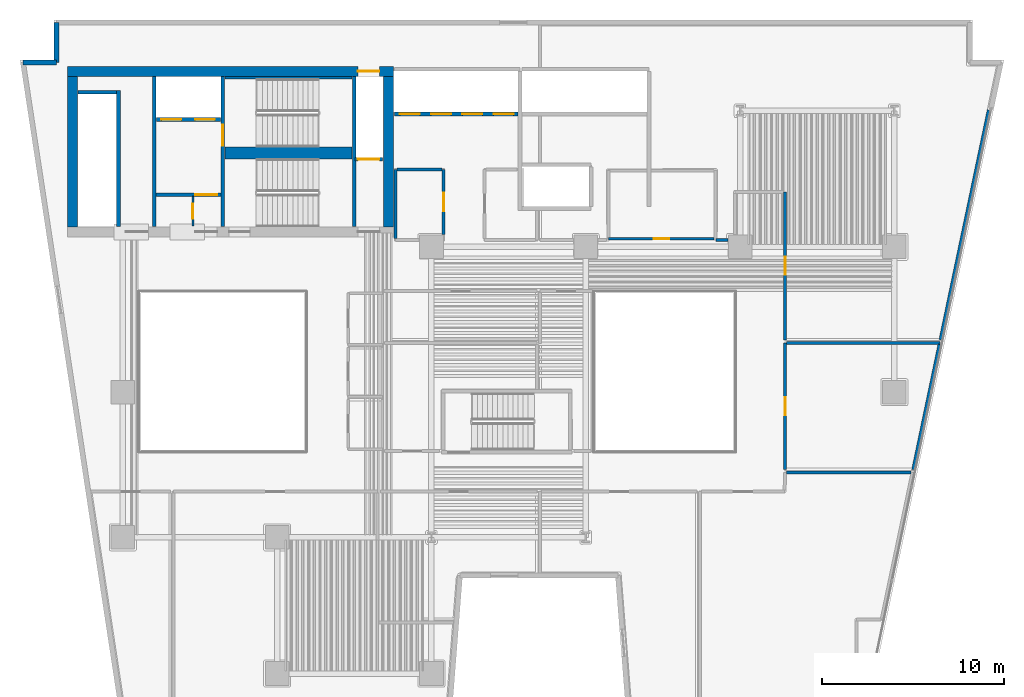
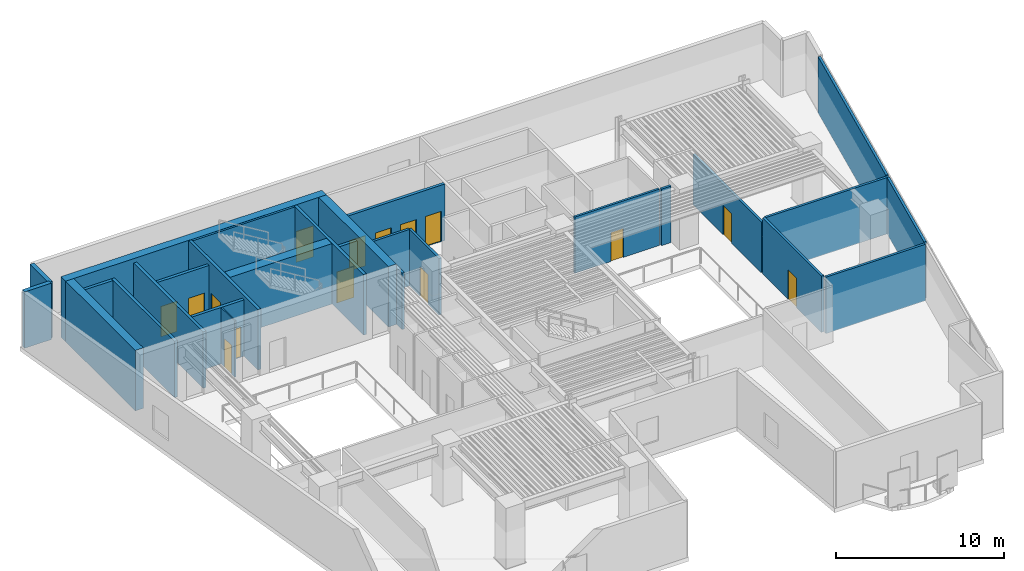
# One storey, part 5 of 11: 28 walls, 15 doors, 15 openings.
"""IFC4 building model written with IfcOpenShell, lengths in metres."""

import ifcopenshell
import ifcopenshell.guid

model = None  # the IFC model being written
_history = None  # IfcOwnerHistory: only IFC2X3 demands one
_inside = {}  # id of a spatial element -> (the spatial element, [elements in it])
_under = {}  # id of a project, library or spatial element -> (it, [spatial elements below it])
_declared = {}  # id of a project -> (the project, [libraries it declares])
_typed = {}  # id of a type object -> (the type object, [elements of that type])
_made_of = {}  # id of a material, layer set ... -> (it, [elements and type objects made of it])


def new_model(schema):
    """Start an empty IFC model of exactly this schema.

    Asked for "IFC4X3", IfcOpenShell would pick the latest addendum, in which some entities
    have other attributes; the version numbers below select the first issue.
    IFC2X3 requires an IfcOwnerHistory on every rooted entity: one is made here for all.
    """
    global model, _history
    if schema == "IFC4X3":
        model = ifcopenshell.file(schema_version=(4, 3, 0, 0))
    else:
        model = ifcopenshell.file(schema=schema)
    _inside.clear()
    _under.clear()
    _declared.clear()
    _typed.clear()
    _made_of.clear()
    _history = None
    if model.schema == "IFC2X3":
        org = make("IfcOrganization", Name="unknown")
        user = make(
            "IfcPersonAndOrganization",
            ThePerson=make("IfcPerson", FamilyName="unknown"),
            TheOrganization=org,
        )
        app = make(
            "IfcApplication",
            ApplicationDeveloper=org,
            Version="unknown",
            ApplicationFullName="unknown",
            ApplicationIdentifier="unknown",
        )
        _history = make(
            "IfcOwnerHistory",
            OwningUser=user,
            OwningApplication=app,
            ChangeAction="ADDED",
            CreationDate=0,
        )
    return model


def make(cls, **values):
    """One entity of the class cls with the attributes given. An attribute that is None is left unset."""
    return model.create_entity(
        cls, **{name: value for name, value in values.items() if value is not None}
    )


def rooted(cls, **values):
    """An entity with a GlobalId (a new one), such as an element, a storey or a relation."""
    return make(cls, GlobalId=ifcopenshell.guid.new(), OwnerHistory=_history, **values)


def si_unit(unit_type, name, prefix=None):
    """IfcSIUnit, for example si_unit("LENGTHUNIT", "METRE", prefix="MILLI")."""
    return make("IfcSIUnit", UnitType=unit_type, Prefix=prefix, Name=name)


def assignment(units):
    """IfcUnitAssignment: the units of a project."""
    return None if units is None else make("IfcUnitAssignment", Units=units)


def point(xyz):
    """IfcCartesianPoint."""
    return None if xyz is None else make("IfcCartesianPoint", Coordinates=xyz)


def direction(xyz):
    """IfcDirection."""
    return None if xyz is None else make("IfcDirection", DirectionRatios=xyz)


def frame(location, z_axis=None, x_axis=None):
    """IfcAxis2Placement3D, a coordinate frame: its origin and axes. An axis left out is left unset."""
    return make(
        "IfcAxis2Placement3D",
        Location=point(location),
        Axis=direction(z_axis),
        RefDirection=direction(x_axis),
    )


def frame_2d(location, x_axis=None):
    """IfcAxis2Placement2D, a coordinate frame in the plane: its origin and x axis."""
    return make(
        "IfcAxis2Placement2D", Location=point(location), RefDirection=direction(x_axis)
    )


def origin():
    """The frame at (0, 0, 0) with its axes left unset."""
    return frame((0.0, 0.0, 0.0))


def place(relative_to, where):
    """IfcLocalPlacement: puts the frame where relative to a parent placement (None: the world)."""
    return make(
        "IfcLocalPlacement", PlacementRelTo=relative_to, RelativePlacement=where
    )


def context(
    kind, dimensions, precision=None, world=None, true_north=None, identifier=None
):
    """IfcGeometricRepresentationContext, for example the 3D "Model" context."""
    return make(
        "IfcGeometricRepresentationContext",
        ContextIdentifier=identifier,
        ContextType=kind,
        CoordinateSpaceDimension=dimensions,
        Precision=precision,
        WorldCoordinateSystem=world,
        TrueNorth=true_north,
    )


def subcontext(parent, identifier, kind, view, scale=None):
    """IfcGeometricRepresentationSubContext, for example "Body" below "Model"."""
    return make(
        "IfcGeometricRepresentationSubContext",
        ContextIdentifier=identifier,
        ContextType=kind,
        ParentContext=parent,
        TargetScale=scale,
        TargetView=view,
    )


def project(units=None, contexts=None):
    """IfcProject with its units and contexts."""
    return rooted(
        "IfcProject",
        Name="project",
        RepresentationContexts=contexts,
        UnitsInContext=assignment(units),
    )


def spatial(cls, under=None, at=None, **own):
    """A site, building, storey or space (cls), placed at a placement, below another one or the project."""
    s = rooted(cls, ObjectPlacement=at, **own)
    if under is not None:
        _under.setdefault(under.id(), (under, []))[1].append(s)
    return s


def profile(cls, at=None, kind="AREA", **sizes):
    """A parametric profile (cls). Its sizes go by their IFC names, for example OverallWidth=200.0."""
    return make(cls, ProfileType=kind, Position=at, **sizes)


def rectangle(**sizes):
    """IfcRectangleProfileDef."""
    return profile("IfcRectangleProfileDef", **sizes)


def extrude(swept, where, along, depth):
    """IfcExtrudedAreaSolid: the profile swept, set in the frame where, extruded along a direction by depth."""
    return make(
        "IfcExtrudedAreaSolid",
        SweptArea=swept,
        Position=where,
        ExtrudedDirection=direction(along),
        Depth=depth,
    )


def shape(context_of_items, identifier, shape_type, items):
    """IfcShapeRepresentation: the items that make up one representation, for example the "Body"."""
    return make(
        "IfcShapeRepresentation",
        ContextOfItems=context_of_items,
        RepresentationIdentifier=identifier,
        RepresentationType=shape_type,
        Items=items,
    )


def material(Name=None, Category=None):
    """IfcMaterial."""
    return make("IfcMaterial", Name=Name, Category=Category)


def layer(
    of_material, thickness, ventilated=None, Name=None, Category=None, Priority=None
):
    """IfcMaterialLayer: one layer of a wall or slab, of a material (None: an air gap)."""
    return make(
        "IfcMaterialLayer",
        Material=of_material,
        LayerThickness=thickness,
        IsVentilated=ventilated,
        Name=Name,
        Category=Category,
        Priority=Priority,
    )


def layer_set(layers, Name=None):
    """IfcMaterialLayerSet."""
    return make("IfcMaterialLayerSet", MaterialLayers=layers, LayerSetName=Name)


def made_of(thing, what):
    """Note that an element or type object is made of a material, layer set ...; save() writes the relation."""
    if what is not None:
        _made_of.setdefault(what.id(), (what, []))[1].append(thing)
    return thing


def type_object(cls, material=None, **own):
    """A type object (cls), such as IfcWallType, which elements share."""
    return made_of(rooted(cls, **own), material)


def element(
    cls,
    number,
    at=None,
    inside=None,
    cuts=None,
    type_object=None,
    material=None,
    context=None,
    identifier="Body",
    shape_type=None,
    held_by="IfcProductDefinitionShape",
    body=None,
    shapes=None,
    **own,
):
    """One element of the class cls, such as IfcWall. Its Tag is "e" and its number.

    at: its placement. inside: the storey or other place that contains it. cuts: it is an
    opening in that element (IfcRelVoidsElement). A single representation is given by context,
    identifier, shape_type and body (its items); several are given by shapes. held_by: the class
    of the entity that holds the representations. save() writes the other relations.
    """
    e = rooted(cls, Tag="e%d" % number, ObjectPlacement=at, **own)
    if body is not None:
        shapes = [shape(context, identifier, shape_type, body)]
    if shapes is not None:
        e.Representation = make(held_by, Representations=shapes)
    if inside is not None:
        _inside.setdefault(inside.id(), (inside, []))[1].append(e)
    if cuts is not None:
        rooted(
            "IfcRelVoidsElement", RelatingBuildingElement=cuts, RelatedOpeningElement=e
        )
    if type_object is not None:
        _typed.setdefault(type_object.id(), (type_object, []))[1].append(e)
    return made_of(e, material)


def fill(opening, filler):
    """IfcRelFillsElement: the door or window that sits in an opening."""
    return rooted(
        "IfcRelFillsElement",
        RelatingOpeningElement=opening,
        RelatedBuildingElement=filler,
    )


def aggregate(whole, parts):
    """IfcRelAggregates: a whole, such as a stair, and the parts it consists of."""
    return rooted("IfcRelAggregates", RelatingObject=whole, RelatedObjects=parts)


def save(model, path):
    """Write the relations noted so far, then the file.

    IfcRelAggregates (storeys below a building ...), IfcRelContainedInSpatialStructure (elements
    in a storey), IfcRelDefinesByType, IfcRelAssociatesMaterial and IfcRelDeclares: one each for
    every whole, place, type object, material and project.
    """
    for whole, parts in _under.values():
        aggregate(whole, parts)
    for where, things in _inside.values():
        rooted(
            "IfcRelContainedInSpatialStructure",
            RelatedElements=things,
            RelatingStructure=where,
        )
    for kind, things in _typed.values():
        rooted("IfcRelDefinesByType", RelatedObjects=things, RelatingType=kind)
    for what, things in _made_of.values():
        rooted("IfcRelAssociatesMaterial", RelatedObjects=things, RelatingMaterial=what)
    for by, libraries in _declared.values():
        rooted("IfcRelDeclares", RelatingContext=by, RelatedDefinitions=libraries)
    model.write(path)


model = new_model("IFC4")

# Units and contexts
model_context = context("Model", 3, precision=1e-05, world=origin(), true_north=direction((0.0, 1.0)))
body_context = subcontext(model_context, "Body", "Model", "MODEL_VIEW")
ifc_project = project(units=[si_unit("LENGTHUNIT", "METRE"), si_unit("AREAUNIT", "SQUARE_METRE"), si_unit("VOLUMEUNIT", "CUBIC_METRE"), si_unit("PLANEANGLEUNIT", "RADIAN"), si_unit("MASSUNIT", "GRAM", prefix="KILO")], contexts=[model_context])

# Site, building, storey
site_placement = place(None, origin())
site = spatial("IfcSite", under=ifc_project, at=site_placement, CompositionType="ELEMENT")
building_placement = place(site_placement, origin())
building = spatial("IfcBuilding", under=site, at=building_placement, Name="Caeloran Harvest Quay", CompositionType="ELEMENT")
storey_placement = place(building_placement, frame((0.0, 0.0, 53.39990234375)))
storey = spatial("IfcBuildingStorey", under=building, at=storey_placement, Name="L12", CompositionType="ELEMENT", Elevation=53.39990234375)

# Walls
ifc_material_1 = material(Name="Precast concrete C50/60", Category="concrete")
ifc_layer_1 = layer(ifc_material_1, 0.280029296875, Name="Precast concrete C50/60")
ifc_layer_set_1 = layer_set([ifc_layer_1], Name="Precast concrete C50/60")
wall_type_1 = type_object("IfcWallType", Name="ENV-WALL-EW-280", PredefinedType="STANDARD", material=ifc_layer_set_1)
wall_1_placement = place(storey_placement, frame((2.99755859375, 41.159912109375, 0.0), z_axis=(0.0, 0.0, 1.0), x_axis=(1.0, 0.0, 0.0)))
element("IfcWall", 1, at=wall_1_placement, inside=storey, type_object=wall_type_1, Name="L12 Exterior Precast Concrete Facade Wall 4", PredefinedType="STANDARD", context=body_context, shape_type="SweptSolid", body=[
    extrude(rectangle(XDim=1.842529296875, YDim=0.280029296875, at=frame_2d((0.92138671875, 0.0))), origin(), (0.0, 0.0, 1.0), 4.10009765625),
])
wall_2_placement = place(storey_placement, frame((4.840087890625, 41.159912109375, 0.0), z_axis=(0.0, 0.0, 1.0), x_axis=(0.0, 1.0, 0.0)))
element("IfcWall", 2, at=wall_2_placement, inside=storey, type_object=wall_type_1, Name="L12 Exterior Precast Concrete Facade Wall 5", PredefinedType="STANDARD", context=body_context, shape_type="SweptSolid", body=[
    extrude(rectangle(XDim=2.2001953125, YDim=0.280029296875, at=frame_2d((1.10009765625, 0.0))), origin(), (0.0, 0.0, 1.0), 4.10009765625),
])

# Wall, opening, door
ifc_material_2 = material(Name="Fire-Resisting Gypsum Core Riser Partition", Category="gypsum")
ifc_layer_2 = layer(ifc_material_2, 0.10009765625, Name="Fire-Resisting Gypsum Core Riser Partition")
ifc_layer_set_2 = layer_set([ifc_layer_2], Name="Fire-Resisting Gypsum Core Riser Partition")
wall_type_2 = type_object("IfcWallType", Name="INT-WALL-PW-100", PredefinedType="PARTITIONING", material=ifc_layer_set_2)
wall_3_placement = place(storey_placement, frame((12.360107421875, 32.159912109375, 0.0), z_axis=(0.0, 0.0, 1.0), x_axis=(0.0, 1.0, 0.0)))
wall_3 = element("IfcWall", 3, at=wall_3_placement, inside=storey, type_object=wall_type_2, Name="L12 Core Store Partition Wall", PredefinedType="PARTITIONING", context=body_context, shape_type="SweptSolid", body=[
    extrude(rectangle(XDim=1.6201171875, YDim=0.10009765625, at=frame_2d((0.81005859375, 0.0))), origin(), (0.0, 0.0, 1.0), 4.10009765625),
])
opening_1_placement = place(wall_3_placement, frame((0.3798828125, 0.0, 0.0)))
opening_1 = element("IfcOpeningElement", 4, at=opening_1_placement, cuts=wall_3, Name="Opening SV-01", PredefinedType="OPENING", context=body_context, shape_type="SweptSolid", body=[
    extrude(rectangle(XDim=0.85009765625, YDim=2.10009765625, at=frame_2d((0.425048828125, 1.050048828125))), frame((0.0, 0.06005859375, 0.0), z_axis=(0.0, -1.0, 0.0), x_axis=(1.0, 0.0, 0.0)), (0.0, 0.0, 1.0), 0.1201171875),
])
ifc_material_3 = material(Name="Galvanized Painted Steel", Category="steel")
door_type_1 = type_object("IfcDoorType", Name="INTDOOR-SV-01", OperationType="NOTDEFINED", PredefinedType="DOOR", material=ifc_material_3)
door_1_placement = place(opening_1_placement, origin())
door_1 = element("IfcDoor", 5, at=door_1_placement, inside=storey, type_object=door_type_1, Name="L12 Core Service Room Access Door", OperationType="SINGLE_SWING_RIGHT", OverallHeight=2.10009765625, OverallWidth=0.85009765625, PredefinedType="DOOR", context=body_context, shape_type="SweptSolid", body=[
    extrude(rectangle(XDim=0.85009765625, YDim=2.10009765625, at=frame_2d((0.425048828125, 1.050048828125))), frame((0.0, 0.02490234375, 0.0), z_axis=(0.0, -1.0, 0.0), x_axis=(1.0, 0.0, 0.0)), (0.0, 0.0, 1.0), 0.050048828125),
])
fill(opening_1, door_1)

ifc_material_4 = material(Name="Autoclaved Aerated Concrete Blockwork and Plasterboard", Category="masonry")
ifc_layer_3 = layer(ifc_material_4, 0.14990234375, Name="Autoclaved Aerated Concrete Blockwork and Plasterboard")
ifc_layer_set_3 = layer_set([ifc_layer_3], Name="Autoclaved Aerated Concrete Blockwork and Plasterboard")
wall_type_3 = type_object("IfcWallType", Name="INT-WALL-PW-150", PredefinedType="PARTITIONING", material=ifc_layer_set_3)
wall_4_placement = place(storey_placement, frame((41.070068359375, 31.449951171875, 0.0), z_axis=(0.0, 0.0, 1.0), x_axis=(-1.0, 0.0, 0.0)))
wall_4 = element("IfcWall", 6, at=wall_4_placement, inside=storey, type_object=wall_type_3, Name="L12 Core Telemetry Control Room Partition Wall", PredefinedType="PARTITIONING", context=body_context, shape_type="SweptSolid", body=[
    extrude(rectangle(XDim=5.820068359375, YDim=0.14990234375, at=frame_2d((2.91015625, 0.0))), origin(), (0.0, 0.0, 1.0), 4.10009765625),
])
opening_2_placement = place(wall_4_placement, frame((2.485107421875, 0.0, 0.0)))
opening_2 = element("IfcOpeningElement", 7, at=opening_2_placement, cuts=wall_4, Name="Opening SV-01", PredefinedType="OPENING", context=body_context, shape_type="SweptSolid", body=[
    extrude(rectangle(XDim=0.85009765625, YDim=2.10009765625, at=frame_2d((0.425048828125, 1.050048828125))), frame((0.0, 0.0849609375, 0.0), z_axis=(0.0, -1.0, 0.0), x_axis=(1.0, 0.0, 0.0)), (0.0, 0.0, 1.0), 0.169921875),
])
door_2_placement = place(opening_2_placement, origin())
door_2 = element("IfcDoor", 8, at=door_2_placement, inside=storey, type_object=door_type_1, Name="L12 Core Telemetry Control Room Access Door", OperationType="SINGLE_SWING_RIGHT", OverallHeight=2.10009765625, OverallWidth=0.85009765625, PredefinedType="DOOR", context=body_context, shape_type="SweptSolid", body=[
    extrude(rectangle(XDim=0.85009765625, YDim=2.10009765625, at=frame_2d((0.425048828125, 1.050048828125))), frame((0.0, 0.02490234375, 0.0), z_axis=(0.0, -1.0, 0.0), x_axis=(1.0, 0.0, 0.0)), (0.0, 0.0, 1.0), 0.050048828125),
])
fill(opening_2, door_2)

# Wall
ifc_material_5 = material(Name="Autoclaved Aerated Concrete Blockwork", Category="masonry")
ifc_layer_4 = layer(ifc_material_5, 0.1650390625, Name="Autoclaved Aerated Concrete Blockwork")
ifc_layer_set_4 = layer_set([ifc_layer_4], Name="Autoclaved Aerated Concrete Blockwork")
wall_type_4 = type_object("IfcWallType", Name="INT-WALL-PW-165", PredefinedType="PARTITIONING", material=ifc_layer_set_4)
wall_5_placement = place(storey_placement, frame((45.06689453125, 18.570068359375, 0.0), z_axis=(0.0, 0.0, 1.0), x_axis=(1.0, 0.0, 0.0)))
element("IfcWall", 9, at=wall_5_placement, inside=storey, type_object=wall_type_4, Name="Hydroponic Culinary Kitchen Partition Wall", PredefinedType="PARTITIONING", context=body_context, shape_type="SweptSolid", body=[
    extrude(rectangle(XDim=6.8408203125, YDim=0.1650390625, at=frame_2d((3.42041015625, 0.0))), origin(), (0.0, 0.0, 1.0), 4.10009765625),
])

# Wall, opening, door
wall_6_placement = place(storey_placement, frame((44.97998046875, 18.72998046875, 0.0), z_axis=(0.0, 0.0, 1.0), x_axis=(0.0, 1.0, 0.0)))
wall_6 = element("IfcWall", 10, at=wall_6_placement, inside=storey, type_object=wall_type_4, Name="Mycology QA Laboratory Partition Wall", PredefinedType="PARTITIONING", context=body_context, shape_type="SweptSolid", body=[
    extrude(rectangle(XDim=6.989990234375, YDim=0.1650390625, at=frame_2d((3.4951171875, 0.0))), origin(), (0.0, 0.0, 1.0), 4.10009765625),
])
opening_3_placement = place(wall_6_placement, frame((2.9951171875, 0.0, 0.0)))
opening_3 = element("IfcOpeningElement", 11, at=opening_3_placement, cuts=wall_6, Name="Opening ID-01", PredefinedType="OPENING", context=body_context, shape_type="SweptSolid", body=[
    extrude(rectangle(XDim=1.0, YDim=2.14990234375, at=frame_2d((0.5, 1.074951171875))), frame((0.0, 0.092529296875, 0.0), z_axis=(0.0, -1.0, 0.0), x_axis=(1.0, 0.0, 0.0)), (0.0, 0.0, 1.0), 0.18505859375),
])
ifc_material_6 = material(Name="FSC Solid-Core Ash Timber and Acoustic Seal", Category="wood")
door_type_2 = type_object("IfcDoorType", Name="INTDOOR-ID-01", OperationType="NOTDEFINED", PredefinedType="DOOR", material=ifc_material_6)
door_3_placement = place(opening_3_placement, origin())
door_3 = element("IfcDoor", 12, at=door_3_placement, inside=storey, type_object=door_type_2, Name="Mycology QA Laboratory Access Door", OperationType="SINGLE_SWING_LEFT", OverallHeight=2.14990234375, OverallWidth=1.0, PredefinedType="DOOR", context=body_context, shape_type="SweptSolid", body=[
    extrude(rectangle(XDim=1.0, YDim=2.14990234375, at=frame_2d((0.5, 1.074951171875))), frame((0.0, 0.02490234375, 0.0), z_axis=(0.0, -1.0, 0.0), x_axis=(1.0, 0.0, 0.0)), (0.0, 0.0, 1.0), 0.050048828125),
])
fill(opening_3, door_3)

# Walls
wall_7_placement = place(storey_placement, frame((45.0673828125, 25.719970703125, 0.0), z_axis=(0.0, 0.0, 1.0), x_axis=(1.0, 0.0, 0.0)))
element("IfcWall", 13, at=wall_7_placement, inside=storey, type_object=wall_type_4, Name="Mycology QA Laboratory Partition Wall", PredefinedType="PARTITIONING", context=body_context, shape_type="SweptSolid", body=[
    extrude(rectangle(XDim=8.447021484375, YDim=0.1650390625, at=frame_2d((4.2236328125, 0.0))), origin(), (0.0, 0.0, 1.0), 4.10009765625),
])
wall_8_placement = place(storey_placement, frame((53.480712890625, 25.632568359375, 0.0), z_axis=(0.0, 0.0, 1.0), x_axis=(-0.205539446235, -0.97864883183, 0.0)))
element("IfcWall", 14, at=wall_8_placement, inside=storey, type_object=wall_type_4, Name="Mycology QA Laboratory Partition Wall", PredefinedType="PARTITIONING", context=body_context, shape_type="SweptSolid", body=[
    extrude(rectangle(XDim=7.05322265625, YDim=0.1650390625, at=frame_2d((3.526611328125, 0.0))), origin(), (0.0, 0.0, 1.0), 4.10009765625),
])

# Wall, opening, door
wall_9_placement = place(storey_placement, frame((26.169921875, 35.27001953125, 0.0), z_axis=(0.0, 0.0, 1.0), x_axis=(0.0, -1.0, 0.0)))
wall_9 = element("IfcWall", 15, at=wall_9_placement, inside=storey, type_object=wall_type_4, Name="Pollination Dining Lounge 11 Partition Wall", PredefinedType="PARTITIONING", context=body_context, shape_type="SweptSolid", body=[
    extrude(rectangle(XDim=3.594970703125, YDim=0.1650390625, at=frame_2d((1.79736328125, 0.0))), origin(), (0.0, 0.0, 1.0), 4.10009765625),
])
opening_4_placement = place(wall_9_placement, frame((1.297607421875, 0.0, 0.0)))
opening_4 = element("IfcOpeningElement", 16, at=opening_4_placement, cuts=wall_9, Name="Opening ID-01", PredefinedType="OPENING", context=body_context, shape_type="SweptSolid", body=[
    extrude(rectangle(XDim=1.0, YDim=2.14990234375, at=frame_2d((0.5, 1.074951171875))), frame((0.0, 0.092529296875, 0.0), z_axis=(0.0, -1.0, 0.0), x_axis=(1.0, 0.0, 0.0)), (0.0, 0.0, 1.0), 0.18505859375),
])
door_4_placement = place(opening_4_placement, origin())
door_4 = element("IfcDoor", 17, at=door_4_placement, inside=storey, type_object=door_type_2, Name="Pollination Dining Lounge 11 Access Door", OperationType="SINGLE_SWING_LEFT", OverallHeight=2.14990234375, OverallWidth=1.0, PredefinedType="DOOR", context=body_context, shape_type="SweptSolid", body=[
    extrude(rectangle(XDim=1.0, YDim=2.14990234375, at=frame_2d((0.5, 1.074951171875))), frame((0.0, 0.02490234375, 0.0), z_axis=(0.0, -1.0, 0.0), x_axis=(1.0, 0.0, 0.0)), (0.0, 0.0, 1.0), 0.050048828125),
])
fill(opening_4, door_4)

# Walls
wall_10_placement = place(storey_placement, frame((23.510009765625, 31.467529296875, 0.0), z_axis=(0.0, 0.0, 1.0), x_axis=(0.0, 1.0, 0.0)))
element("IfcWall", 18, at=wall_10_placement, inside=storey, type_object=wall_type_4, Name="Pollination Dining Lounge 11 Partition Wall", PredefinedType="PARTITIONING", context=body_context, shape_type="SweptSolid", body=[
    extrude(rectangle(XDim=3.804443359375, YDim=0.1650390625, at=frame_2d((1.90234375, 0.0))), origin(), (0.0, 0.0, 1.0), 4.10009765625),
])
wall_11_placement = place(storey_placement, frame((23.597412109375, 35.27001953125, 0.0), z_axis=(0.0, 0.0, 1.0), x_axis=(1.0, 0.0, 0.0)))
element("IfcWall", 19, at=wall_11_placement, inside=storey, type_object=wall_type_4, Name="Pollination Dining Lounge 11 Partition Wall", PredefinedType="PARTITIONING", context=body_context, shape_type="SweptSolid", body=[
    extrude(rectangle(XDim=2.485107421875, YDim=0.1650390625, at=frame_2d((1.24267578125, 0.0))), origin(), (0.0, 0.0, 1.0), 4.10009765625),
])
wall_12_placement = place(storey_placement, frame((56.1943359375, 38.547607421875, 0.0), z_axis=(0.0, 0.0, 1.0), x_axis=(-0.205602677483, -0.978635549636, 0.0)))
element("IfcWall", 20, at=wall_12_placement, inside=storey, type_object=wall_type_4, Name="Harvest Seminar Room 12 Partition Wall", PredefinedType="PARTITIONING", context=body_context, shape_type="SweptSolid", body=[
    extrude(rectangle(XDim=12.9443359375, YDim=0.1650390625, at=frame_2d((6.47216796875, 0.0))), origin(), (0.0, 0.0, 1.0), 4.10009765625),
])

# Wall, opening, door
wall_13_placement = place(storey_placement, frame((44.97998046875, 25.8798828125, 0.0), z_axis=(0.0, 0.0, 1.0), x_axis=(0.0, 1.0, 0.0)))
wall_13 = element("IfcWall", 21, at=wall_13_placement, inside=storey, type_object=wall_type_4, Name="Harvest Seminar Room 12 Partition Wall", PredefinedType="PARTITIONING", context=body_context, shape_type="SweptSolid", body=[
    extrude(rectangle(XDim=8.150146484375, YDim=0.1650390625, at=frame_2d((4.0751953125, 0.0))), origin(), (0.0, 0.0, 1.0), 3.68505859375),
])
opening_5_placement = place(wall_13_placement, frame((3.574951171875, 0.0, 0.0)))
opening_5 = element("IfcOpeningElement", 22, at=opening_5_placement, cuts=wall_13, Name="Opening ID-01", PredefinedType="OPENING", context=body_context, shape_type="SweptSolid", body=[
    extrude(rectangle(XDim=1.0, YDim=2.14990234375, at=frame_2d((0.5, 1.074951171875))), frame((0.0, 0.092529296875, 0.0), z_axis=(0.0, -1.0, 0.0), x_axis=(1.0, 0.0, 0.0)), (0.0, 0.0, 1.0), 0.18505859375),
])
door_5_placement = place(opening_5_placement, origin())
door_5 = element("IfcDoor", 23, at=door_5_placement, inside=storey, type_object=door_type_2, Name="Harvest Seminar Room 12 Access Door", OperationType="SINGLE_SWING_RIGHT", OverallHeight=2.14990234375, OverallWidth=1.0, PredefinedType="DOOR", context=body_context, shape_type="SweptSolid", body=[
    extrude(rectangle(XDim=1.0, YDim=2.14990234375, at=frame_2d((0.5, 1.074951171875))), frame((0.0, 0.02490234375, 0.0), z_axis=(0.0, -1.0, 0.0), x_axis=(1.0, 0.0, 0.0)), (0.0, 0.0, 1.0), 0.050048828125),
])
fill(opening_5, door_5)

# Walls
wall_14_placement = place(storey_placement, frame((41.824951171875, 31.3798828125, 0.0), z_axis=(0.0, 0.0, 1.0), x_axis=(-1.0, 0.0, 0.0)))
element("IfcWall", 24, at=wall_14_placement, inside=storey, type_object=wall_type_4, Name="Harvest Seminar Room 12 Partition Wall", PredefinedType="PARTITIONING", context=body_context, shape_type="SweptSolid", body=[
    extrude(rectangle(XDim=0.660400390625, YDim=0.1650390625, at=frame_2d((0.330078125, 0.0))), origin(), (0.0, 0.0, 1.0), 4.10009765625),
])
ifc_material_7 = material(Name="Concrete C50/60", Category="concrete")
ifc_layer_5 = layer(ifc_material_7, 0.199951171875, Name="Concrete C50/60")
ifc_layer_set_5 = layer_set([ifc_layer_5], Name="Concrete C50/60")
wall_type_5 = type_object("IfcWallType", Name="INT-WALL-SW-200", PredefinedType="PARTITIONING", material=ifc_layer_set_5)
wall_15_placement = place(storey_placement, frame((8.260009765625, 32.1201171875, 0.0), z_axis=(0.0, 0.0, 1.0), x_axis=(0.0, 1.0, 0.0)))
element("IfcWall", 25, at=wall_15_placement, inside=storey, type_object=wall_type_5, Name="L12 Bank 3 Lift Shaft Wall", PredefinedType="PARTITIONING", context=body_context, shape_type="SweptSolid", body=[
    extrude(rectangle(XDim=7.5, YDim=0.199951171875, at=frame_2d((3.75, 0.0))), origin(), (0.0, 0.0, 1.0), 4.10009765625),
])
wall_16_placement = place(storey_placement, frame((6.02001953125, 39.52001953125, 0.0), z_axis=(0.0, 0.0, 1.0), x_axis=(1.0, 0.0, 0.0)))
element("IfcWall", 26, at=wall_16_placement, inside=storey, type_object=wall_type_5, Name="L12 Bank 3 Lift Shaft North End Wall", PredefinedType="PARTITIONING", context=body_context, shape_type="SweptSolid", body=[
    extrude(rectangle(XDim=2.119873046875, YDim=0.199951171875, at=frame_2d((1.06005859375, 0.0))), origin(), (0.0, 0.0, 1.0), 4.10009765625),
])
wall_17_placement = place(storey_placement, frame((10.219970703125, 32.1201171875, 0.0), z_axis=(0.0, 0.0, 1.0), x_axis=(0.0, 1.0, 0.0)))
element("IfcWall", 27, at=wall_17_placement, inside=storey, type_object=wall_type_5, Name="L12 Core Lobby Compartment Wall", PredefinedType="PARTITIONING", context=body_context, shape_type="SweptSolid", body=[
    extrude(rectangle(XDim=8.259765625, YDim=0.199951171875, at=frame_2d((4.1298828125, 0.0))), origin(), (0.0, 0.0, 1.0), 4.10009765625),
])

# Wall, openings, doors
wall_18_placement = place(storey_placement, frame((10.340087890625, 38.02001953125, 0.0), z_axis=(0.0, 0.0, 1.0), x_axis=(1.0, 0.0, 0.0)))
wall_18 = element("IfcWall", 28, at=wall_18_placement, inside=storey, type_object=wall_type_5, Name="L12 Firefighting Lift Shaft Wall", PredefinedType="PARTITIONING", context=body_context, shape_type="SweptSolid", body=[
    extrude(rectangle(XDim=3.539794921875, YDim=0.199951171875, at=frame_2d((1.77001953125, 0.0))), origin(), (0.0, 0.0, 1.0), 4.10009765625),
])
opening_6_placement = place(wall_18_placement, frame((0.284912109375, 0.0, 0.0)))
opening_6 = element("IfcOpeningElement", 29, at=opening_6_placement, cuts=wall_18, Name="Opening LD-01", PredefinedType="OPENING", context=body_context, shape_type="SweptSolid", body=[
    extrude(rectangle(XDim=1.10009765625, YDim=2.199951171875, at=frame_2d((0.550048828125, 1.10009765625))), frame((0.0, 0.10986328125, 0.0), z_axis=(0.0, -1.0, 0.0), x_axis=(1.0, 0.0, 0.0)), (0.0, 0.0, 1.0), 0.219970703125),
])
opening_7_placement = place(wall_18_placement, frame((2.135009765625, 0.0, 0.0)))
opening_7 = element("IfcOpeningElement", 30, at=opening_7_placement, cuts=wall_18, Name="Opening LD-01", PredefinedType="OPENING", context=body_context, shape_type="SweptSolid", body=[
    extrude(rectangle(XDim=1.10009765625, YDim=2.199951171875, at=frame_2d((0.550048828125, 1.10009765625))), frame((0.0, 0.10986328125, 0.0), z_axis=(0.0, -1.0, 0.0), x_axis=(1.0, 0.0, 0.0)), (0.0, 0.0, 1.0), 0.219970703125),
])
ifc_material_8 = material(Name="Stainless Steel Grade 316", Category="steel")
door_type_3 = type_object("IfcDoorType", Name="INTDOOR-LD-01", OperationType="NOTDEFINED", PredefinedType="DOOR", material=ifc_material_8)
door_6_placement = place(opening_6_placement, origin())
door_6 = element("IfcDoor", 31, at=door_6_placement, inside=storey, type_object=door_type_3, Name="Lift FF-1 Sliding Landing Door (L12)", OperationType="DOUBLE_DOOR_SLIDING", OverallHeight=2.199951171875, OverallWidth=1.10009765625, PredefinedType="DOOR", context=body_context, shape_type="SweptSolid", body=[
    extrude(rectangle(XDim=1.10009765625, YDim=2.199951171875, at=frame_2d((0.550048828125, 1.10009765625))), frame((0.0, 0.02490234375, 0.0), z_axis=(0.0, -1.0, 0.0), x_axis=(1.0, 0.0, 0.0)), (0.0, 0.0, 1.0), 0.050048828125),
])
fill(opening_6, door_6)
door_7_placement = place(opening_7_placement, origin())
door_7 = element("IfcDoor", 32, at=door_7_placement, inside=storey, type_object=door_type_3, Name="Lift FF-2 Sliding Landing Door (L12)", OperationType="DOUBLE_DOOR_SLIDING", OverallHeight=2.199951171875, OverallWidth=1.10009765625, PredefinedType="DOOR", context=body_context, shape_type="SweptSolid", body=[
    extrude(rectangle(XDim=1.10009765625, YDim=2.199951171875, at=frame_2d((0.550048828125, 1.10009765625))), frame((0.0, 0.02490234375, 0.0), z_axis=(0.0, -1.0, 0.0), x_axis=(1.0, 0.0, 0.0)), (0.0, 0.0, 1.0), 0.050048828125),
])
fill(opening_7, door_7)

# Wall, opening, door
wall_19_placement = place(storey_placement, frame((10.340087890625, 33.8798828125, 0.0), z_axis=(0.0, 0.0, 1.0), x_axis=(1.0, 0.0, 0.0)))
wall_19 = element("IfcWall", 33, at=wall_19_placement, inside=storey, type_object=wall_type_5, Name="L12 Firefighting Lift Lobby Enclosure Wall", PredefinedType="PARTITIONING", context=body_context, shape_type="SweptSolid", body=[
    extrude(rectangle(XDim=3.559814453125, YDim=0.199951171875, at=frame_2d((1.77978515625, 0.0))), origin(), (0.0, 0.0, 1.0), 4.10009765625),
])
opening_8_placement = place(wall_19_placement, frame((2.14990234375, 0.0, 0.0)))
opening_8 = element("IfcOpeningElement", 34, at=opening_8_placement, cuts=wall_19, Name="Opening FD-01", PredefinedType="OPENING", context=body_context, shape_type="SweptSolid", body=[
    extrude(rectangle(XDim=1.199951171875, YDim=2.199951171875, at=frame_2d((0.60009765625, 1.10009765625))), frame((0.0, 0.10986328125, 0.0), z_axis=(0.0, -1.0, 0.0), x_axis=(1.0, 0.0, 0.0)), (0.0, 0.0, 1.0), 0.219970703125),
])
ifc_material_9 = material(Name="Steel", Category="steel")
door_type_4 = type_object("IfcDoorType", Name="INTDOOR-FD-01", OperationType="NOTDEFINED", PredefinedType="DOOR", material=ifc_material_9)
door_8_placement = place(opening_8_placement, origin())
door_8 = element("IfcDoor", 35, at=door_8_placement, inside=storey, type_object=door_type_4, Name="L12 Firefighting Lift Lobby Smoke-Seal Fire Door", OperationType="SINGLE_SWING_RIGHT", OverallHeight=2.199951171875, OverallWidth=1.199951171875, PredefinedType="DOOR", context=body_context, shape_type="SweptSolid", body=[
    extrude(rectangle(XDim=1.199951171875, YDim=2.199951171875, at=frame_2d((0.60009765625, 1.10009765625))), frame((0.0, 0.02490234375, 0.0), z_axis=(0.0, -1.0, 0.0), x_axis=(1.0, 0.0, 0.0)), (0.0, 0.0, 1.0), 0.050048828125),
])
fill(opening_8, door_8)

wall_20_placement = place(storey_placement, frame((21.300048828125, 35.820068359375, 0.0), z_axis=(0.0, 0.0, 1.0), x_axis=(1.0, 0.0, 0.0)))
wall_20 = element("IfcWall", 36, at=wall_20_placement, inside=storey, type_object=wall_type_5, Name="L12 Service Lift SV-2 Shaft Wall", PredefinedType="PARTITIONING", context=body_context, shape_type="SweptSolid", body=[
    extrude(rectangle(XDim=1.5, YDim=0.199951171875, at=frame_2d((0.75, 0.0))), origin(), (0.0, 0.0, 1.0), 4.10009765625),
])
opening_9_placement = place(wall_20_placement, frame((0.14501953125, 0.0, 0.0)))
opening_9 = element("IfcOpeningElement", 37, at=opening_9_placement, cuts=wall_20, Name="Opening LD-02", PredefinedType="OPENING", context=body_context, shape_type="SweptSolid", body=[
    extrude(rectangle(XDim=1.179931640625, YDim=2.25, at=frame_2d((0.58984375, 1.125))), frame((0.0, 0.10986328125, 0.0), z_axis=(0.0, -1.0, 0.0), x_axis=(1.0, 0.0, 0.0)), (0.0, 0.0, 1.0), 0.219970703125),
])
door_type_5 = type_object("IfcDoorType", Name="INTDOOR-LD-02", OperationType="NOTDEFINED", PredefinedType="DOOR", material=ifc_material_8)
door_9_placement = place(opening_9_placement, origin())
door_9 = element("IfcDoor", 38, at=door_9_placement, inside=storey, type_object=door_type_5, Name="Lift SV-2 Sliding Landing Door (L12)", OperationType="DOUBLE_DOOR_SLIDING", OverallHeight=2.25, OverallWidth=1.179931640625, PredefinedType="DOOR", context=body_context, shape_type="SweptSolid", body=[
    extrude(rectangle(XDim=1.179931640625, YDim=2.25, at=frame_2d((0.58984375, 1.125))), frame((0.0, 0.02490234375, 0.0), z_axis=(0.0, -1.0, 0.0), x_axis=(1.0, 0.0, 0.0)), (0.0, 0.0, 1.0), 0.050048828125),
])
fill(opening_9, door_9)

# Wall, openings, doors
wall_21_placement = place(storey_placement, frame((23.469970703125, 38.320068359375, 0.0), z_axis=(0.0, 0.0, 1.0), x_axis=(1.0, 0.0, 0.0)))
wall_21 = element("IfcWall", 39, at=wall_21_placement, inside=storey, type_object=wall_type_5, Name="L12 Bank 1 Lift Landing Front Wall", PredefinedType="PARTITIONING", context=body_context, shape_type="SweptSolid", body=[
    extrude(rectangle(XDim=6.7900390625, YDim=0.199951171875, at=frame_2d((3.39501953125, 0.0))), origin(), (0.0, 0.0, 1.0), 4.10009765625),
])
opening_10_placement = place(wall_21_placement, frame((0.2900390625, 0.0, 0.0)))
opening_10 = element("IfcOpeningElement", 40, at=opening_10_placement, cuts=wall_21, Name="Opening LD-01", PredefinedType="OPENING", context=body_context, shape_type="SweptSolid", body=[
    extrude(rectangle(XDim=1.10009765625, YDim=2.199951171875, at=frame_2d((0.550048828125, 1.10009765625))), frame((0.0, 0.10986328125, 0.0), z_axis=(0.0, -1.0, 0.0), x_axis=(1.0, 0.0, 0.0)), (0.0, 0.0, 1.0), 0.219970703125),
])
opening_11_placement = place(wall_21_placement, frame((2.010009765625, 0.0, 0.0)))
opening_11 = element("IfcOpeningElement", 41, at=opening_11_placement, cuts=wall_21, Name="Opening LD-01", PredefinedType="OPENING", context=body_context, shape_type="SweptSolid", body=[
    extrude(rectangle(XDim=1.10009765625, YDim=2.199951171875, at=frame_2d((0.550048828125, 1.10009765625))), frame((0.0, 0.10986328125, 0.0), z_axis=(0.0, -1.0, 0.0), x_axis=(1.0, 0.0, 0.0)), (0.0, 0.0, 1.0), 0.219970703125),
])
opening_12_placement = place(wall_21_placement, frame((3.72998046875, 0.0, 0.0)))
opening_12 = element("IfcOpeningElement", 42, at=opening_12_placement, cuts=wall_21, Name="Opening LD-01", PredefinedType="OPENING", context=body_context, shape_type="SweptSolid", body=[
    extrude(rectangle(XDim=1.10009765625, YDim=2.199951171875, at=frame_2d((0.550048828125, 1.10009765625))), frame((0.0, 0.10986328125, 0.0), z_axis=(0.0, -1.0, 0.0), x_axis=(1.0, 0.0, 0.0)), (0.0, 0.0, 1.0), 0.219970703125),
])
opening_13_placement = place(wall_21_placement, frame((5.449951171875, 0.0, 0.0)))
opening_13 = element("IfcOpeningElement", 43, at=opening_13_placement, cuts=wall_21, Name="Opening LD-01", PredefinedType="OPENING", context=body_context, shape_type="SweptSolid", body=[
    extrude(rectangle(XDim=1.10009765625, YDim=2.199951171875, at=frame_2d((0.550048828125, 1.10009765625))), frame((0.0, 0.10986328125, 0.0), z_axis=(0.0, -1.0, 0.0), x_axis=(1.0, 0.0, 0.0)), (0.0, 0.0, 1.0), 0.219970703125),
])
door_10_placement = place(opening_10_placement, origin())
door_10 = element("IfcDoor", 44, at=door_10_placement, inside=storey, type_object=door_type_3, Name="Lift P1-1 Sliding Landing Door (L12)", OperationType="DOUBLE_DOOR_SLIDING", OverallHeight=2.199951171875, OverallWidth=1.10009765625, PredefinedType="DOOR", context=body_context, shape_type="SweptSolid", body=[
    extrude(rectangle(XDim=1.10009765625, YDim=2.199951171875, at=frame_2d((0.550048828125, 1.10009765625))), frame((0.0, 0.02490234375, 0.0), z_axis=(0.0, -1.0, 0.0), x_axis=(1.0, 0.0, 0.0)), (0.0, 0.0, 1.0), 0.050048828125),
])
fill(opening_10, door_10)
door_11_placement = place(opening_11_placement, origin())
door_11 = element("IfcDoor", 45, at=door_11_placement, inside=storey, type_object=door_type_3, Name="Lift P1-2 Sliding Landing Door (L12)", OperationType="DOUBLE_DOOR_SLIDING", OverallHeight=2.199951171875, OverallWidth=1.10009765625, PredefinedType="DOOR", context=body_context, shape_type="SweptSolid", body=[
    extrude(rectangle(XDim=1.10009765625, YDim=2.199951171875, at=frame_2d((0.550048828125, 1.10009765625))), frame((0.0, 0.02490234375, 0.0), z_axis=(0.0, -1.0, 0.0), x_axis=(1.0, 0.0, 0.0)), (0.0, 0.0, 1.0), 0.050048828125),
])
fill(opening_11, door_11)
door_12_placement = place(opening_12_placement, origin())
door_12 = element("IfcDoor", 46, at=door_12_placement, inside=storey, type_object=door_type_3, Name="Lift P1-3 Sliding Landing Door (L12)", OperationType="DOUBLE_DOOR_SLIDING", OverallHeight=2.199951171875, OverallWidth=1.10009765625, PredefinedType="DOOR", context=body_context, shape_type="SweptSolid", body=[
    extrude(rectangle(XDim=1.10009765625, YDim=2.199951171875, at=frame_2d((0.550048828125, 1.10009765625))), frame((0.0, 0.02490234375, 0.0), z_axis=(0.0, -1.0, 0.0), x_axis=(1.0, 0.0, 0.0)), (0.0, 0.0, 1.0), 0.050048828125),
])
fill(opening_12, door_12)
door_13_placement = place(opening_13_placement, origin())
door_13 = element("IfcDoor", 47, at=door_13_placement, inside=storey, type_object=door_type_3, Name="Lift P1-4 Sliding Landing Door (L12)", OperationType="DOUBLE_DOOR_SLIDING", OverallHeight=2.199951171875, OverallWidth=1.10009765625, PredefinedType="DOOR", context=body_context, shape_type="SweptSolid", body=[
    extrude(rectangle(XDim=1.10009765625, YDim=2.199951171875, at=frame_2d((0.550048828125, 1.10009765625))), frame((0.0, 0.02490234375, 0.0), z_axis=(0.0, -1.0, 0.0), x_axis=(1.0, 0.0, 0.0)), (0.0, 0.0, 1.0), 0.050048828125),
])
fill(opening_13, door_13)

# Wall, opening, door
ifc_material_10 = material(Name="Concrete C80/95", Category="concrete")
ifc_layer_6 = layer(ifc_material_10, 0.550048828125, Name="Concrete C80/95")
ifc_layer_set_6 = layer_set([ifc_layer_6], Name="Concrete C80/95")
wall_type_6 = type_object("IfcWallType", Name="STR-WALL-CW-550", PredefinedType="SHEAR", material=ifc_layer_set_6)
wall_22_placement = place(storey_placement, frame((5.449951171875, 40.675048828125, 0.0), z_axis=(0.0, 0.0, 1.0), x_axis=(1.0, 0.0, 0.0)))
wall_22 = element("IfcWall", 48, at=wall_22_placement, inside=storey, type_object=wall_type_6, Name="L12 Rear Core Shear Wall N", PredefinedType="SHEAR", context=body_context, shape_type="SweptSolid", body=[
    extrude(rectangle(XDim=17.949951171875, YDim=0.550048828125, at=frame_2d((8.97509765625, 0.0))), origin(), (0.0, 0.0, 1.0), 4.400146484375),
])
opening_14_placement = place(wall_22_placement, frame((15.9951171875, 0.0, 0.0)))
opening_14 = element("IfcOpeningElement", 49, at=opening_14_placement, cuts=wall_22, Name="Opening LD-02", PredefinedType="OPENING", context=body_context, shape_type="SweptSolid", body=[
    extrude(rectangle(XDim=1.179931640625, YDim=2.25, at=frame_2d((0.58984375, 1.125))), frame((0.0, 0.28515625, 0.0), z_axis=(0.0, -1.0, 0.0), x_axis=(1.0, 0.0, 0.0)), (0.0, 0.0, 1.0), 0.570068359375),
])
door_14_placement = place(opening_14_placement, origin())
door_14 = element("IfcDoor", 50, at=door_14_placement, inside=storey, type_object=door_type_5, Name="Lift SV-1 Sliding Landing Door (L12)", OperationType="DOUBLE_DOOR_SLIDING", OverallHeight=2.25, OverallWidth=1.179931640625, PredefinedType="DOOR", context=body_context, shape_type="SweptSolid", body=[
    extrude(rectangle(XDim=1.179931640625, YDim=2.25, at=frame_2d((0.58984375, 1.125))), frame((0.0, 0.02490234375, 0.0), z_axis=(0.0, -1.0, 0.0), x_axis=(1.0, 0.0, 0.0)), (0.0, 0.0, 1.0), 0.050048828125),
])
fill(opening_14, door_14)

# Walls
for number, where, z_axis, x_axis, name in (
    (51, (5.72509765625, 32.10009765625, 0.0), (0.0, 0.0, 1.0), (0.0, 1.0, 0.0), "L12 Rear Core Shear Wall W"),
    (52, (23.125, 32.10009765625, 0.0), (0.0, 0.0, 1.0), (0.0, 1.0, 0.0), "L12 Rear Core Shear Wall E"),
):
    element("IfcWall", number, at=place(storey_placement, frame(where, z_axis=z_axis, x_axis=x_axis)), inside=storey, type_object=wall_type_6, Name=name, PredefinedType="SHEAR", context=body_context, shape_type="SweptSolid", body=[
        extrude(rectangle(XDim=8.2998046875, YDim=0.550048828125, at=frame_2d((4.14990234375, 0.0))), origin(), (0.0, 0.0, 1.0), 4.400146484375),
    ])
ifc_material_11 = material(Name="Concrete C60/75", Category="concrete")
ifc_layer_7 = layer(ifc_material_11, 0.64990234375, Name="Concrete C60/75")
ifc_layer_set_7 = layer_set([ifc_layer_7], Name="Concrete C60/75")
wall_type_7 = type_object("IfcWallType", Name="STR-WALL-CW-650", PredefinedType="SHEAR", material=ifc_layer_set_7)
wall_23_placement = place(storey_placement, frame((14.1201171875, 36.175048828125, 0.0), z_axis=(0.0, 0.0, 1.0), x_axis=(1.0, 0.0, 0.0)))
element("IfcWall", 53, at=wall_23_placement, inside=storey, type_object=wall_type_7, Name="L12 Core Stairs Dividing Shear Wall", PredefinedType="SHEAR", context=body_context, shape_type="SweptSolid", body=[
    extrude(rectangle(XDim=7.009765625, YDim=0.64990234375, at=frame_2d((3.5048828125, 0.0))), origin(), (0.0, 0.0, 1.0), 4.400146484375),
])
ifc_layer_8 = layer(ifc_material_11, 0.139892578125, Name="Concrete C60/75")
ifc_layer_set_8 = layer_set([ifc_layer_8], Name="Concrete C60/75")
wall_type_8 = type_object("IfcWallType", Name="STR-WALL-SW-140", PredefinedType="SHEAR", material=ifc_layer_set_8)
wall_24_placement = place(storey_placement, frame((14.1201171875, 40.320068359375, 0.0), z_axis=(0.0, 0.0, 1.0), x_axis=(1.0, 0.0, 0.0)))
element("IfcWall", 54, at=wall_24_placement, inside=storey, type_object=wall_type_8, Name="L12 Core Stair ST-C1 North Bearing Shear Wall", PredefinedType="SHEAR", context=body_context, shape_type="SweptSolid", body=[
    extrude(rectangle(XDim=7.009765625, YDim=0.139892578125, at=frame_2d((3.5048828125, 0.0))), origin(), (0.0, 0.0, 1.0), 4.400146484375),
])

# Wall, opening, door
ifc_layer_9 = layer(ifc_material_11, 0.199951171875, Name="Concrete C60/75")
ifc_layer_set_9 = layer_set([ifc_layer_9], Name="Concrete C60/75")
wall_type_9 = type_object("IfcWallType", Name="STR-WALL-SW-200", PredefinedType="SHEAR", material=ifc_layer_set_9)
wall_25_placement = place(storey_placement, frame((14.0, 32.1201171875, 0.0), z_axis=(0.0, 0.0, 1.0), x_axis=(0.0, 1.0, 0.0)))
wall_25 = element("IfcWall", 55, at=wall_25_placement, inside=storey, type_object=wall_type_9, Name="L12 Core Stair Shaft West Shear Wall", PredefinedType="SHEAR", context=body_context, shape_type="SweptSolid", body=[
    extrude(rectangle(XDim=8.259765625, YDim=0.199951171875, at=frame_2d((4.1298828125, 0.0))), origin(), (0.0, 0.0, 1.0), 4.400146484375),
])
opening_15_placement = place(wall_25_placement, frame((4.4599609375, 0.0, 0.0)))
opening_15 = element("IfcOpeningElement", 56, at=opening_15_placement, cuts=wall_25, Name="Opening SD-01", PredefinedType="OPENING", context=body_context, shape_type="SweptSolid", body=[
    extrude(rectangle(XDim=1.14990234375, YDim=2.199951171875, at=frame_2d((0.574951171875, 1.10009765625))), frame((0.0, 0.10986328125, 0.0), z_axis=(0.0, -1.0, 0.0), x_axis=(1.0, 0.0, 0.0)), (0.0, 0.0, 1.0), 0.219970703125),
])
door_type_6 = type_object("IfcDoorType", Name="INTDOOR-SD-01", OperationType="NOTDEFINED", PredefinedType="DOOR", material=ifc_material_9)
door_15_placement = place(opening_15_placement, origin())
door_15 = element("IfcDoor", 57, at=door_15_placement, inside=storey, type_object=door_type_6, Name="L12 Protected Stair ST-C1 Exit Door", OperationType="SINGLE_SWING_LEFT", OverallHeight=2.199951171875, OverallWidth=1.14990234375, PredefinedType="DOOR", context=body_context, shape_type="SweptSolid", body=[
    extrude(rectangle(XDim=1.14990234375, YDim=2.199951171875, at=frame_2d((0.574951171875, 1.10009765625))), frame((0.0, 0.02490234375, 0.0), z_axis=(0.0, -1.0, 0.0), x_axis=(1.0, 0.0, 0.0)), (0.0, 0.0, 1.0), 0.050048828125),
])
fill(opening_15, door_15)

# Wall
wall_26_placement = place(storey_placement, frame((21.25, 32.1201171875, 0.0), z_axis=(0.0, 0.0, 1.0), x_axis=(0.0, 1.0, 0.0)))
element("IfcWall", 58, at=wall_26_placement, inside=storey, type_object=wall_type_9, Name="L12 Core Stair Shaft East Shear Wall", PredefinedType="SHEAR", context=body_context, shape_type="SweptSolid", body=[
    extrude(rectangle(XDim=8.259765625, YDim=0.199951171875, at=frame_2d((4.1298828125, 0.0))), origin(), (0.0, 0.0, 1.0), 4.400146484375),
])

save(model, "model.ifc")
